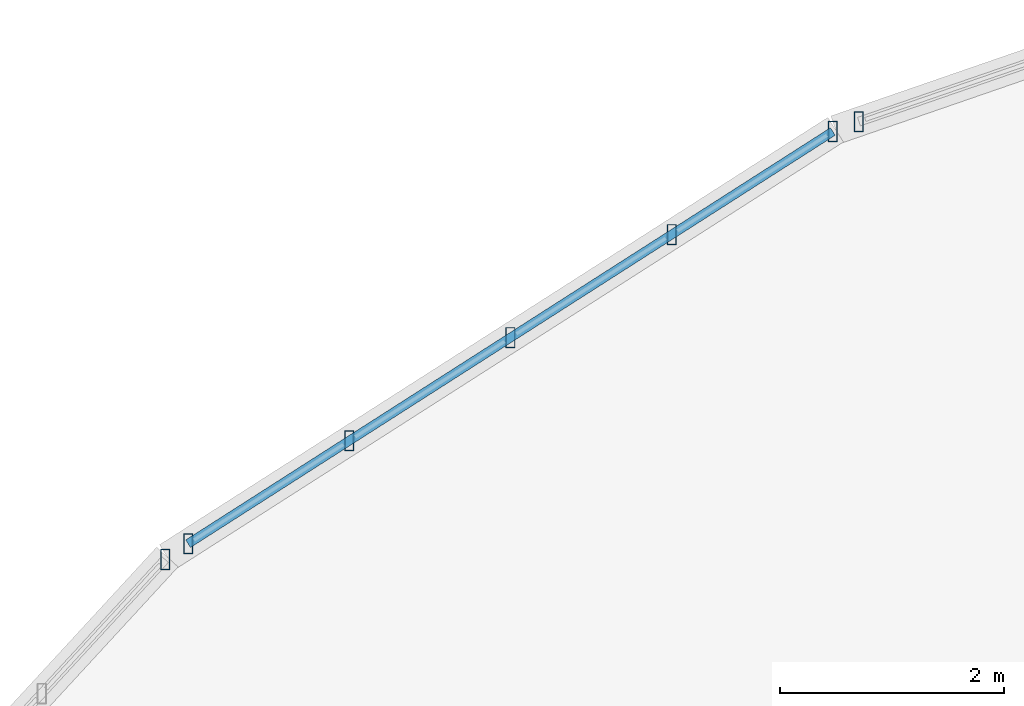
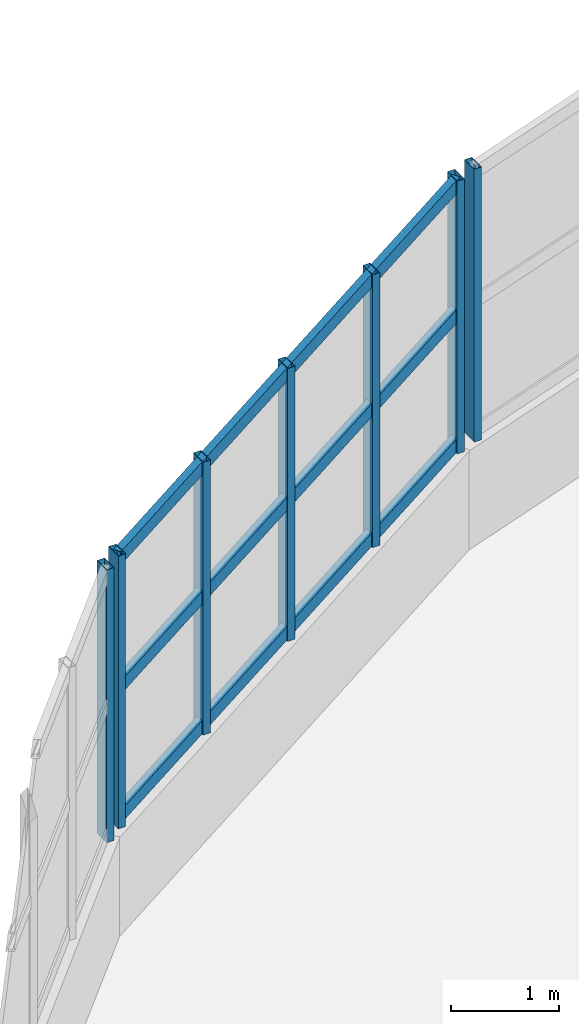
# One storey, part 14 of 50: 10 members, 3 elements without a shape of their own.
"""IFC4 building model written with IfcOpenShell, lengths in metres."""

from ifc_helpers import new_model, si_unit, direction, frame, origin, origin_2d, place, context, subcontext, project, spatial, hollow_rectangle, extrude, material, material_profile, profile_set, type_object, element, aggregate, save


model = new_model("IFC4")

# Units and contexts
model_context = context("Model", 3, precision=1e-05, world=origin(), true_north=direction((0.0, 1.0)))
body_context = subcontext(model_context, "Body", "Model", "MODEL_VIEW")
ifc_project = project(units=[si_unit("LENGTHUNIT", "METRE"), si_unit("AREAUNIT", "SQUARE_METRE"), si_unit("VOLUMEUNIT", "CUBIC_METRE"), si_unit("PLANEANGLEUNIT", "RADIAN"), si_unit("MASSUNIT", "GRAM", prefix="KILO")], contexts=[model_context])

# Site, building, storey
site_placement = place(None, origin())
site = spatial("IfcSite", under=ifc_project, at=site_placement, CompositionType="ELEMENT")
building_placement = place(site_placement, origin())
building = spatial("IfcBuilding", under=site, at=building_placement, Name="Solvento Point Concert Hall", CompositionType="ELEMENT")
storey_placement = place(building_placement, frame((0.0, 0.0, 15.0)))
storey = spatial("IfcBuildingStorey", under=building, at=storey_placement, Name="L03", CompositionType="ELEMENT", Elevation=15.0)

# Curtain wall, member
ifc_material_1 = material(Name="Anodized Bronze Aluminium", Category="aluminium")
curtain_wall_type = type_object("IfcCurtainWallType", Name="CurtainWall_RingRibbon_L03_04", PredefinedType="USERDEFINED", material=ifc_material_1)
curtain_wall_1_placement = place(storey_placement, origin())
curtain_wall_1 = element("IfcCurtainWall", 1, at=curtain_wall_1_placement, inside=storey, type_object=curtain_wall_type, Name="Unitised curtain wall CW-31 UCW-L03-193", ObjectType="UNITISED CURTAIN WALL", PredefinedType="USERDEFINED")
ifc_material_2 = material(Name="Anodized Bronze Aluminium", Category="aluminium")
ifc_material_profile_1 = material_profile(ifc_material_2, hollow_rectangle(XDim=0.080078125, YDim=0.179931640625, WallThickness=0.00390625, at=origin_2d()), Name="CW-MUL-80X180")
ifc_profile_set_1 = profile_set([ifc_material_profile_1], Name="Anodized Bronze Aluminium")
member_type_1 = type_object("IfcMemberType", Name="Mullion_80x180", PredefinedType="MULLION", material=ifc_profile_set_1)
member_1_placement = place(storey_placement, frame((40.81494140625, 49.048583984375, 1.1201171875), z_axis=(0.0, 0.0, 1.0), x_axis=(1.0, 0.0, 0.0)))
member_1 = element("IfcMember", 2, at=member_1_placement, type_object=member_type_1, Name="Curtain wall mullion ML-01", PredefinedType="MULLION", context=body_context, shape_type="SweptSolid", body=[
    extrude(hollow_rectangle(XDim=0.080078125, YDim=0.179931640625, WallThickness=0.00390625, at=origin_2d()), origin(), (0.0, 0.0, 1.0), 3.08984375),
])
aggregate(curtain_wall_1, [member_1])

# Curtain wall, members
curtain_wall_2_placement = place(storey_placement, origin())
curtain_wall_2 = element("IfcCurtainWall", 3, at=curtain_wall_2_placement, inside=storey, type_object=curtain_wall_type, Name="Unitised curtain wall CW-31 UCW-L03-194", ObjectType="UNITISED CURTAIN WALL", PredefinedType="USERDEFINED")
member_2_placement = place(storey_placement, frame((41.0205078125, 49.189208984375, 1.1201171875), z_axis=(0.0, 0.0, 1.0), x_axis=(1.0, 0.0, 0.0)))
member_2 = element("IfcMember", 4, at=member_2_placement, type_object=member_type_1, Name="Curtain wall mullion ML-01", PredefinedType="MULLION", context=body_context, shape_type="SweptSolid", body=[
    extrude(hollow_rectangle(XDim=0.080078125, YDim=0.179931640625, WallThickness=0.00390625, at=origin_2d()), origin(), (0.0, 0.0, 1.0), 3.08984375),
])
member_3_placement = place(storey_placement, frame((42.459228515625, 50.10888671875, 1.1201171875), z_axis=(0.0, 0.0, 1.0), x_axis=(1.0, 0.0, 0.0)))
member_3 = element("IfcMember", 5, at=member_3_placement, type_object=member_type_1, Name="Curtain wall mullion ML-01", PredefinedType="MULLION", context=body_context, shape_type="SweptSolid", body=[
    extrude(hollow_rectangle(XDim=0.080078125, YDim=0.179931640625, WallThickness=0.00390625, at=origin_2d()), origin(), (0.0, 0.0, 1.0), 3.08984375),
])
member_4_placement = place(storey_placement, frame((43.897705078125, 51.02880859375, 1.1201171875), z_axis=(0.0, 0.0, 1.0), x_axis=(1.0, 0.0, 0.0)))
member_4 = element("IfcMember", 6, at=member_4_placement, type_object=member_type_1, Name="Curtain wall mullion ML-01", PredefinedType="MULLION", context=body_context, shape_type="SweptSolid", body=[
    extrude(hollow_rectangle(XDim=0.080078125, YDim=0.179931640625, WallThickness=0.00390625, at=origin_2d()), origin(), (0.0, 0.0, 1.0), 3.08984375),
])
member_5_placement = place(storey_placement, frame((45.336181640625, 51.948486328125, 1.1201171875), z_axis=(0.0, 0.0, 1.0), x_axis=(1.0, 0.0, 0.0)))
member_5 = element("IfcMember", 7, at=member_5_placement, type_object=member_type_1, Name="Curtain wall mullion ML-01", PredefinedType="MULLION", context=body_context, shape_type="SweptSolid", body=[
    extrude(hollow_rectangle(XDim=0.080078125, YDim=0.179931640625, WallThickness=0.00390625, at=origin_2d()), origin(), (0.0, 0.0, 1.0), 3.08984375),
])
member_6_placement = place(storey_placement, frame((46.774658203125, 52.868408203125, 1.1201171875), z_axis=(0.0, 0.0, 1.0), x_axis=(1.0, 0.0, 0.0)))
member_6 = element("IfcMember", 8, at=member_6_placement, type_object=member_type_1, Name="Curtain wall mullion ML-01", PredefinedType="MULLION", context=body_context, shape_type="SweptSolid", body=[
    extrude(hollow_rectangle(XDim=0.080078125, YDim=0.179931640625, WallThickness=0.00390625, at=origin_2d()), origin(), (0.0, 0.0, 1.0), 3.08984375),
])

# Curtain wall, member
curtain_wall_3_placement = place(storey_placement, origin())
curtain_wall_3 = element("IfcCurtainWall", 9, at=curtain_wall_3_placement, inside=storey, type_object=curtain_wall_type, Name="Unitised curtain wall CW-31 UCW-L03-195", ObjectType="UNITISED CURTAIN WALL", PredefinedType="USERDEFINED")
member_7_placement = place(storey_placement, frame((47.008056640625, 52.956298828125, 1.1201171875), z_axis=(0.0, 0.0, 1.0), x_axis=(1.0, 0.0, 0.0)))
member_7 = element("IfcMember", 10, at=member_7_placement, type_object=member_type_1, Name="Curtain wall mullion ML-01", PredefinedType="MULLION", context=body_context, shape_type="SweptSolid", body=[
    extrude(hollow_rectangle(XDim=0.080078125, YDim=0.179931640625, WallThickness=0.00390625, at=origin_2d()), origin(), (0.0, 0.0, 1.0), 3.08984375),
])
aggregate(curtain_wall_3, [member_7])

# Member
ifc_material_3 = material(Name="Anodized Bronze Aluminium", Category="aluminium")
ifc_material_profile_2 = material_profile(ifc_material_3, hollow_rectangle(XDim=0.080078125, YDim=0.14990234375, WallThickness=0.00390625, at=origin_2d()), Name="CW-TRN-80X150")
ifc_profile_set_2 = profile_set([ifc_material_profile_2], Name="Anodized Bronze Aluminium")
member_type_2 = type_object("IfcMemberType", Name="Transom_80x150", PredefinedType="USERDEFINED", material=ifc_profile_set_2)
member_8_placement = place(storey_placement, frame((41.0205078125, 49.189208984375, 1.199951171875), z_axis=(0.84250113822, 0.5386945629, 0.0), x_axis=(-0.5386945629, 0.84250113822, 0.0)))
member_8 = element("IfcMember", 11, at=member_8_placement, type_object=member_type_2, Name="Curtain wall transom TR-01", ObjectType="TRANSOM", PredefinedType="USERDEFINED", context=body_context, shape_type="SweptSolid", body=[
    extrude(hollow_rectangle(XDim=0.080078125, YDim=0.14990234375, WallThickness=0.00390625, at=origin_2d()), origin(), (0.0, 0.0, 1.0), 6.829833984375),
])

member_9_placement = place(storey_placement, frame((41.0205078125, 49.189208984375, 2.6650390625), z_axis=(0.84250113822, 0.5386945629, 0.0), x_axis=(-0.5386945629, 0.84250113822, 0.0)))
member_9 = element("IfcMember", 12, at=member_9_placement, type_object=member_type_2, Name="Curtain wall transom TR-01", ObjectType="TRANSOM", PredefinedType="USERDEFINED", context=body_context, shape_type="SweptSolid", body=[
    extrude(hollow_rectangle(XDim=0.080078125, YDim=0.14990234375, WallThickness=0.00390625, at=origin_2d()), origin(), (0.0, 0.0, 1.0), 6.829833984375),
])

member_10_placement = place(storey_placement, frame((41.0205078125, 49.189208984375, 4.1298828125), z_axis=(0.84250113822, 0.5386945629, 0.0), x_axis=(-0.5386945629, 0.84250113822, 0.0)))
member_10 = element("IfcMember", 13, at=member_10_placement, type_object=member_type_2, Name="Curtain wall transom TR-01", ObjectType="TRANSOM", PredefinedType="USERDEFINED", context=body_context, shape_type="SweptSolid", body=[
    extrude(hollow_rectangle(XDim=0.080078125, YDim=0.14990234375, WallThickness=0.00390625, at=origin_2d()), origin(), (0.0, 0.0, 1.0), 6.829833984375),
])

aggregate(curtain_wall_2, [member_2, member_3, member_4, member_5, member_6, member_8, member_9, member_10])

save(model, "model.ifc")
